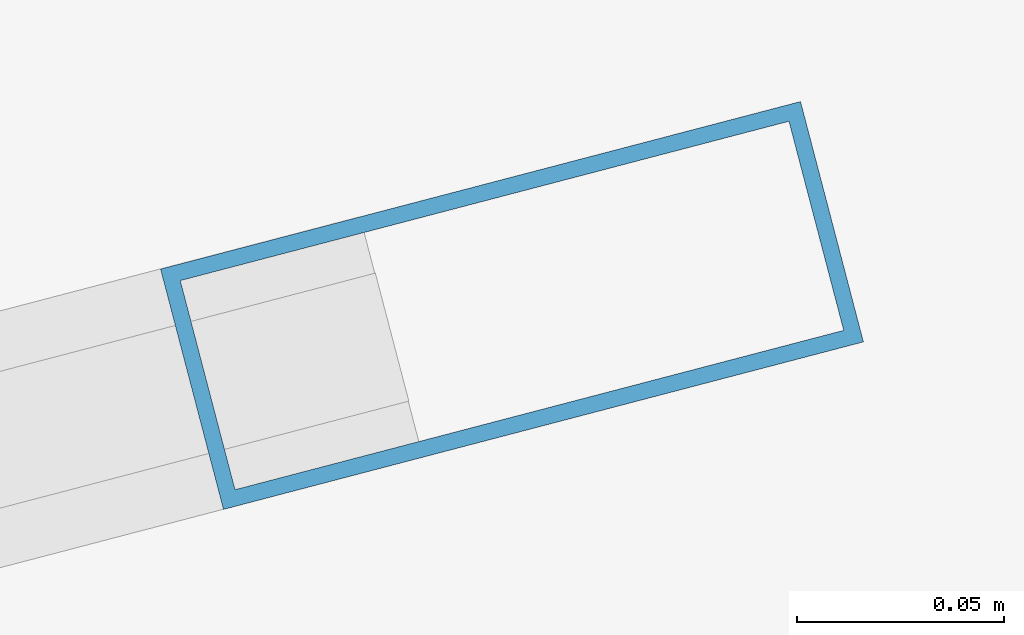
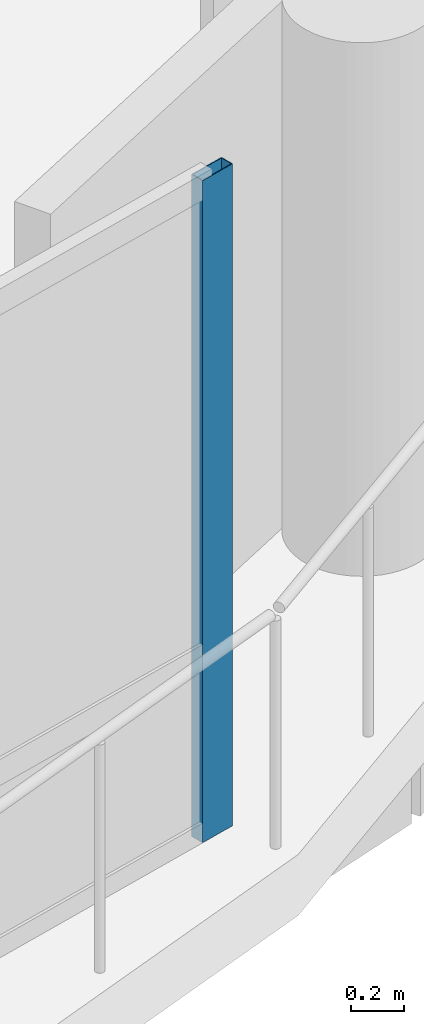
# One storey, part 9 of 43: 1 member, 1 element without a shape of its own.
"""IFC4 building model written with IfcOpenShell, lengths in metres."""

from ifc_helpers import new_model, si_unit, derived_unit, direction, frame, origin, origin_2d, place, context, subcontext, project, spatial, hollow_rectangle, extrude, material, layer, layer_set, material_profile, profile_set, type_object, element, aggregate, save


model = new_model("IFC4")

# Units and contexts
model_context = context("Model", 3, precision=1e-05, world=origin(), true_north=direction((0.0, 1.0)))
body_context = subcontext(model_context, "Body", "Model", "MODEL_VIEW")
ifc_project = project(units=[si_unit("LENGTHUNIT", "METRE"), si_unit("AREAUNIT", "SQUARE_METRE"), si_unit("VOLUMEUNIT", "CUBIC_METRE"), si_unit("PLANEANGLEUNIT", "RADIAN"), si_unit("MASSUNIT", "GRAM", prefix="KILO"), derived_unit("THERMALTRANSMITTANCEUNIT", [(si_unit("POWERUNIT", "WATT"), 1), (si_unit("LENGTHUNIT", "METRE"), -2), (si_unit("THERMODYNAMICTEMPERATUREUNIT", "KELVIN"), -1)])], contexts=[model_context])

# Site, building, storey
site_placement = place(None, origin())
site = spatial("IfcSite", under=ifc_project, at=site_placement, CompositionType="ELEMENT")
building_placement = place(site_placement, origin())
building = spatial("IfcBuilding", under=site, at=building_placement, Name="Elbkamm Science Centre", CompositionType="ELEMENT")
storey_placement = place(building_placement, frame((0.0, 0.0, 18.300048828125)))
storey = spatial("IfcBuildingStorey", under=building, at=storey_placement, Name="L04", CompositionType="ELEMENT", Elevation=18.300048828125)

# Curtain wall, member
ifc_material_1 = material(Name="Powder-coated aluminium and triple low-E glazing", Category="aluminium")
ifc_layer = layer(ifc_material_1, 0.159912109375)
ifc_layer_set = layer_set([ifc_layer], Name="Powder-coated aluminium and triple low-E glazing")
curtain_wall_type = type_object("IfcCurtainWallType", Name="CW-UNIT-4060x3040", PredefinedType="USERDEFINED", material=ifc_layer_set)
curtain_wall_placement = place(storey_placement, origin())
curtain_wall = element("IfcCurtainWall", 1, at=curtain_wall_placement, inside=storey, type_object=curtain_wall_type, Name="L04 Unitised Curtain Wall 100", ObjectType="UNITISED CURTAIN WALL", PredefinedType="USERDEFINED")
ifc_material_2 = material(Name="Powder-coated aluminium EN AW-6060", Category="aluminium")
ifc_material_profile = material_profile(ifc_material_2, hollow_rectangle(XDim=0.06005859375, YDim=0.159912109375, WallThickness=0.00390625, at=origin_2d()), Name="ALU M60x160")
ifc_profile_set = profile_set([ifc_material_profile], Name="Powder-coated aluminium EN AW-6060")
member_type = type_object("IfcMemberType", Name="CW-MUL-60x160", PredefinedType="MULLION", material=ifc_profile_set)
member_placement = place(storey_placement, frame((73.32763671875, 49.14697265625, 0.0), z_axis=(0.0, 0.0, 1.0), x_axis=(-0.253208377553, 0.967411762145, 0.0)))
member = element("IfcMember", 2, at=member_placement, type_object=member_type, Name="CW-049 mullion 4", PredefinedType="MULLION", context=body_context, shape_type="SweptSolid", body=[
    extrude(hollow_rectangle(XDim=0.06005859375, YDim=0.159912109375, WallThickness=0.00390625, at=origin_2d()), origin(), (0.0, 0.0, 1.0), 3.0400390625),
])
aggregate(curtain_wall, [member])

save(model, "model.ifc")
